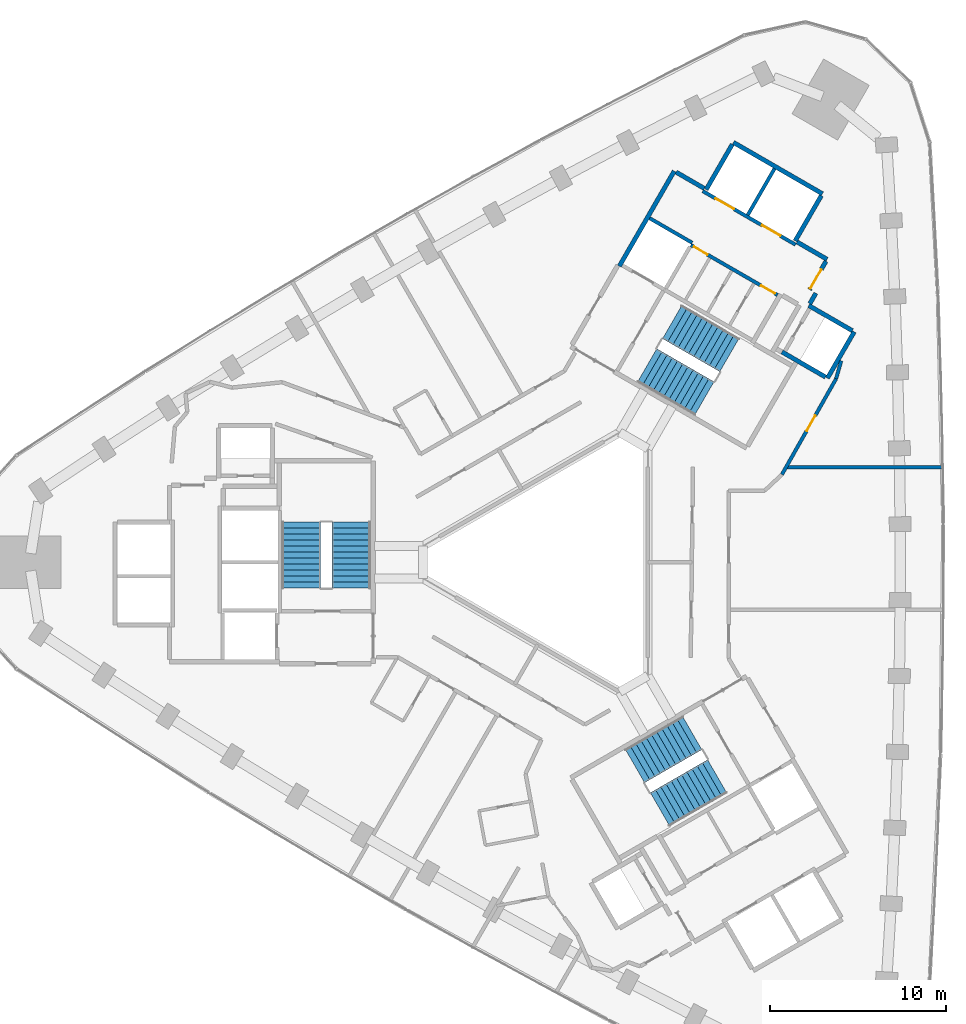
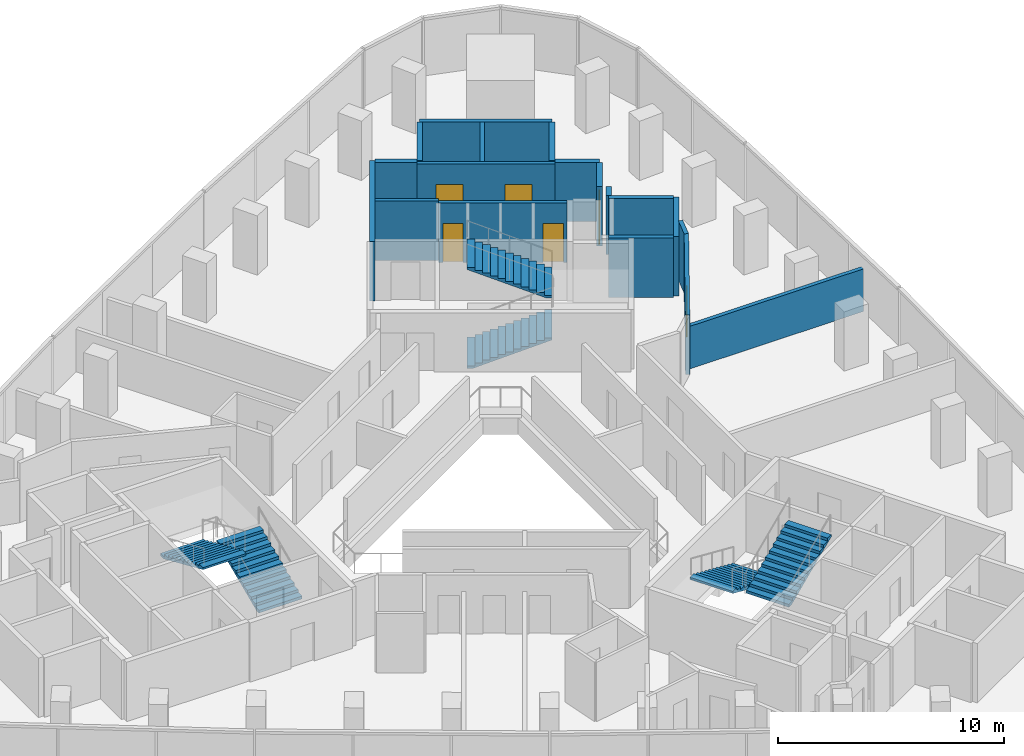
# One storey, part 11 of 12: 18 walls, 6 doors, 6 stair flights, 6 openings, 3 elements without a shape of their own.
"""IFC4 building model written with IfcOpenShell, lengths in metres."""

from ifc_helpers import new_model, si_unit, direction, frame, frame_2d, origin, place, context, subcontext, project, spatial, polyline, rectangle, outline, extrude, material, layer, layer_set, type_object, element, fill, aggregate, save


model = new_model("IFC4")

# Units and contexts
model_context = context("Model", 3, precision=1e-05, world=origin(), true_north=direction((0.0, 1.0)))
body_context = subcontext(model_context, "Body", "Model", "MODEL_VIEW")
ifc_project = project(units=[si_unit("LENGTHUNIT", "METRE"), si_unit("AREAUNIT", "SQUARE_METRE"), si_unit("VOLUMEUNIT", "CUBIC_METRE"), si_unit("PLANEANGLEUNIT", "RADIAN"), si_unit("MASSUNIT", "GRAM", prefix="KILO")], contexts=[model_context])

# Site, building, storey
site_placement = place(None, origin())
site = spatial("IfcSite", under=ifc_project, at=site_placement, CompositionType="ELEMENT")
building_placement = place(site_placement, origin())
building = spatial("IfcBuilding", under=site, at=building_placement, Name="Tamra Quay Hotel Tower", CompositionType="ELEMENT")
storey_placement = place(building_placement, frame((0.0, 0.0, 143.199951171875)))
storey = spatial("IfcBuildingStorey", under=building, at=storey_placement, Name="L35", CompositionType="ELEMENT", Elevation=143.199951171875)

# Wall, openings, doors
ifc_material_1 = material(Name="Concrete M70", Category="concrete")
ifc_layer_1 = layer(ifc_material_1, 0.199951171875)
ifc_layer_set_1 = layer_set([ifc_layer_1], Name="Concrete M70 core wall 200")
wall_type_1 = type_object("IfcWallType", Name="Concrete M70 core wall 200", PredefinedType="SHEAR", material=ifc_layer_set_1)
wall_1_placement = place(storey_placement, frame((13.209716796875, 18.07958984375, 0.0), z_axis=(0.0, 0.0, 1.0), x_axis=(-0.866030299012, 0.499991521122, 0.0)))
wall_1 = element("IfcWall", 1, at=wall_1_placement, inside=storey, type_object=wall_type_1, Name="CW2", PredefinedType="SHEAR", context=body_context, shape_type="SweptSolid", body=[
    extrude(rectangle(XDim=6.10009765625, YDim=0.199951171875, at=frame_2d((3.050048828125, 0.0))), origin(), (0.0, 0.0, 1.0), 3.199951171875),
])
opening_1_placement = place(wall_1_placement, frame((1.0, 0.0, 0.0)))
opening_1 = element("IfcOpeningElement", 2, at=opening_1_placement, cuts=wall_1, Name="Opening LD", PredefinedType="OPENING", context=body_context, shape_type="SweptSolid", body=[
    extrude(rectangle(XDim=1.199951171875, YDim=2.10009765625, at=frame_2d((0.60009765625, 1.050048828125))), frame((0.0, 0.10986328125, 0.0), z_axis=(0.0, -1.0, 0.0), x_axis=(1.0, 0.0, 0.0)), (0.0, 0.0, 1.0), 0.219970703125),
])
opening_2_placement = place(wall_1_placement, frame((4.05029296875, 0.0, 0.0)))
opening_2 = element("IfcOpeningElement", 3, at=opening_2_placement, cuts=wall_1, Name="Opening LD", PredefinedType="OPENING", context=body_context, shape_type="SweptSolid", body=[
    extrude(rectangle(XDim=1.199951171875, YDim=2.10009765625, at=frame_2d((0.60009765625, 1.050048828125))), frame((0.0, 0.10986328125, 0.0), z_axis=(0.0, -1.0, 0.0), x_axis=(1.0, 0.0, 0.0)), (0.0, 0.0, 1.0), 0.219970703125),
])
ifc_material_2 = material(Name="Landing door LD 1200 double door sliding")
door_type_1 = type_object("IfcDoorType", Name="Landing door LD 1200 double door sliding", OperationType="DOUBLE_DOOR_SLIDING", PredefinedType="DOOR", material=ifc_material_2)
door_1_placement = place(opening_1_placement, origin())
door_1 = element("IfcDoor", 4, at=door_1_placement, inside=storey, type_object=door_type_1, Name="LD", OperationType="DOUBLE_DOOR_SLIDING", OverallHeight=2.10009765625, OverallWidth=1.199951171875, PredefinedType="DOOR", context=body_context, shape_type="SweptSolid", body=[
    extrude(rectangle(XDim=1.199951171875, YDim=2.10009765625, at=frame_2d((0.60009765625, 1.050048828125))), frame((0.0, 0.02490234375, 0.0), z_axis=(0.0, -1.0, 0.0), x_axis=(1.0, 0.0, 0.0)), (0.0, 0.0, 1.0), 0.050048828125),
])
fill(opening_1, door_1)
door_2_placement = place(opening_2_placement, origin())
door_2 = element("IfcDoor", 5, at=door_2_placement, inside=storey, type_object=door_type_1, Name="LD", OperationType="DOUBLE_DOOR_SLIDING", OverallHeight=2.10009765625, OverallWidth=1.199951171875, PredefinedType="DOOR", context=body_context, shape_type="SweptSolid", body=[
    extrude(rectangle(XDim=1.199951171875, YDim=2.10009765625, at=frame_2d((0.60009765625, 1.050048828125))), frame((0.0, 0.02490234375, 0.0), z_axis=(0.0, -1.0, 0.0), x_axis=(1.0, 0.0, 0.0)), (0.0, 0.0, 1.0), 0.050048828125),
])
fill(opening_2, door_2)

wall_2_placement = place(storey_placement, frame((12.18505859375, 15.20703125, 0.0), z_axis=(0.0, 0.0, 1.0), x_axis=(-0.866020080793, 0.500009219579, 0.0)))
wall_2 = element("IfcWall", 6, at=wall_2_placement, inside=storey, type_object=wall_type_1, Name="CW2", PredefinedType="SHEAR", context=body_context, shape_type="SweptSolid", body=[
    extrude(rectangle(XDim=5.69921875, YDim=0.199951171875, at=frame_2d((2.849609375, 0.0))), origin(), (0.0, 0.0, 1.0), 3.199951171875),
])
opening_3_placement = place(wall_2_placement, frame((0.174072265625, 0.0, 0.0)))
opening_3 = element("IfcOpeningElement", 7, at=opening_3_placement, cuts=wall_2, Name="Opening D2", PredefinedType="OPENING", context=body_context, shape_type="SweptSolid", body=[
    extrude(rectangle(XDim=0.89990234375, YDim=2.10009765625, at=frame_2d((0.449951171875, 1.050048828125))), frame((0.0, 0.10986328125, 0.0), z_axis=(0.0, -1.0, 0.0), x_axis=(1.0, 0.0, 0.0)), (0.0, 0.0, 1.0), 0.219970703125),
])
opening_4_placement = place(wall_2_placement, frame((4.59912109375, 0.0, 0.0)))
opening_4 = element("IfcOpeningElement", 8, at=opening_4_placement, cuts=wall_2, Name="Opening D2", PredefinedType="OPENING", context=body_context, shape_type="SweptSolid", body=[
    extrude(rectangle(XDim=0.89990234375, YDim=2.10009765625, at=frame_2d((0.449951171875, 1.050048828125))), frame((0.0, 0.10986328125, 0.0), z_axis=(0.0, -1.0, 0.0), x_axis=(1.0, 0.0, 0.0)), (0.0, 0.0, 1.0), 0.219970703125),
])
ifc_material_3 = material(Name="Core door D2 900x2100 LH")
door_type_2 = type_object("IfcDoorType", Name="Core door D2 900x2100 LH", OperationType="NOTDEFINED", PredefinedType="DOOR", material=ifc_material_3)
door_3_placement = place(opening_4_placement, origin())
door_3 = element("IfcDoor", 9, at=door_3_placement, inside=storey, type_object=door_type_2, Name="D2", OperationType="SINGLE_SWING_LEFT", OverallHeight=2.10009765625, OverallWidth=0.89990234375, PredefinedType="DOOR", context=body_context, shape_type="SweptSolid", body=[
    extrude(rectangle(XDim=0.89990234375, YDim=2.10009765625, at=frame_2d((0.449951171875, 1.050048828125))), frame((0.0, 0.02490234375, 0.0), z_axis=(0.0, -1.0, 0.0), x_axis=(1.0, 0.0, 0.0)), (0.0, 0.0, 1.0), 0.050048828125),
])
fill(opening_4, door_3)
ifc_material_4 = material(Name="Core door D2 900x2100 RH")
door_type_3 = type_object("IfcDoorType", Name="Core door D2 900x2100 RH", OperationType="NOTDEFINED", PredefinedType="DOOR", material=ifc_material_4)
door_4_placement = place(opening_3_placement, origin())
door_4 = element("IfcDoor", 10, at=door_4_placement, inside=storey, type_object=door_type_3, Name="D2", OperationType="SINGLE_SWING_RIGHT", OverallHeight=2.10009765625, OverallWidth=0.89990234375, PredefinedType="DOOR", context=body_context, shape_type="SweptSolid", body=[
    extrude(rectangle(XDim=0.89990234375, YDim=2.10009765625, at=frame_2d((0.449951171875, 1.050048828125))), frame((0.0, 0.02490234375, 0.0), z_axis=(0.0, -1.0, 0.0), x_axis=(1.0, 0.0, 0.0)), (0.0, 0.0, 1.0), 0.050048828125),
])
fill(opening_3, door_4)

# Walls
wall_3_placement = place(storey_placement, frame((10.48876953125, 19.76708984375, 0.0), z_axis=(0.0, 0.0, 1.0), x_axis=(0.499946628782, 0.866056215479, 0.0)))
element("IfcWall", 11, at=wall_3_placement, inside=storey, type_object=wall_type_1, Name="CW2", PredefinedType="SHEAR", context=body_context, shape_type="SweptSolid", body=[
    extrude(rectangle(XDim=3.048095703125, YDim=0.199951171875, at=frame_2d((1.52392578125, 0.0))), origin(), (0.0, 0.0, 1.0), 3.199951171875),
])
wall_4_placement = place(storey_placement, frame((4.900634765625, 19.5859375, 0.0), z_axis=(0.0, 0.0, 1.0), x_axis=(0.866022890907, -0.500004352405, 0.0)))
element("IfcWall", 12, at=wall_4_placement, inside=storey, type_object=wall_type_1, Name="CW2", PredefinedType="SHEAR", context=body_context, shape_type="SweptSolid", body=[
    extrude(rectangle(XDim=2.798828125, YDim=0.199951171875, at=frame_2d((1.3994140625, 0.0))), origin(), (0.0, 0.0, 1.0), 3.199951171875),
])
ifc_layer_2 = layer(ifc_material_1, 0.25)
ifc_layer_set_2 = layer_set([ifc_layer_2], Name="Concrete M70 core wall 250")
wall_type_2 = type_object("IfcWallType", Name="Concrete M70 core wall 250", PredefinedType="SHEAR", material=ifc_layer_set_2)
wall_5_placement = place(storey_placement, frame((3.178955078125, 16.856201171875, 0.0), z_axis=(0.0, 0.0, 1.0), x_axis=(0.500004234368, 0.866022959057, 0.0)))
element("IfcWall", 13, at=wall_5_placement, inside=storey, type_object=wall_type_2, Name="CW1", PredefinedType="SHEAR", context=body_context, shape_type="SweptSolid", body=[
    extrude(rectangle(XDim=6.25, YDim=0.25, at=frame_2d((3.125, 0.0))), origin(), (0.0, 0.0, 1.0), 3.199951171875),
])
wall_6_placement = place(storey_placement, frame((9.672607421875, 23.9033203125, 0.0), z_axis=(0.0, 0.0, 1.0), x_axis=(0.86603616409, -0.499981362141, 0.0)))
element("IfcWall", 14, at=wall_6_placement, inside=storey, type_object=wall_type_2, Name="CW1", PredefinedType="SHEAR", context=body_context, shape_type="SweptSolid", body=[
    extrude(rectangle(XDim=5.849853515625, YDim=0.25, at=frame_2d((2.9248046875, 0.0))), origin(), (0.0, 0.0, 1.0), 3.199951171875),
])
for number, where, z_axis, x_axis, name in (
    (15, (8.12255859375, 21.21875, 0.0), (0.0, 0.0, 1.0), (0.499987686533, 0.866032512851, 0.0), "CW1"),
    (16, (14.67626953125, 20.869873046875, 0.0), (0.0, 0.0, 1.0), (-0.499987686533, -0.866032512851, 0.0), "CW1"),
):
    element("IfcWall", number, at=place(storey_placement, frame(where, z_axis=z_axis, x_axis=x_axis)), inside=storey, type_object=wall_type_2, Name=name, PredefinedType="SHEAR", context=body_context, shape_type="SweptSolid", body=[
        extrude(rectangle(XDim=2.974609375, YDim=0.25, at=frame_2d((1.4873046875, 0.0))), origin(), (0.0, 0.0, 1.0), 3.199951171875),
    ])
wall_7_placement = place(storey_placement, frame((16.552001953125, 13.118896484375, 0.0), z_axis=(0.0, 0.0, 1.0), x_axis=(-0.499978833458, -0.866037623948, 0.0)))
element("IfcWall", 17, at=wall_7_placement, inside=storey, type_object=wall_type_2, Name="CW1", PredefinedType="SHEAR", context=body_context, shape_type="SweptSolid", body=[
    extrude(rectangle(XDim=3.050048828125, YDim=0.25, at=frame_2d((1.52490234375, 0.0))), origin(), (0.0, 0.0, 1.0), 3.199951171875),
])
wall_8_placement = place(storey_placement, frame((14.91845703125, 10.540283203125, 0.0), z_axis=(0.0, 0.0, 1.0), x_axis=(-0.866063538972, 0.499933942099, 0.0)))
element("IfcWall", 18, at=wall_8_placement, inside=storey, type_object=wall_type_2, Name="CW1", PredefinedType="SHEAR", context=body_context, shape_type="SweptSolid", body=[
    extrude(rectangle(XDim=2.86474609375, YDim=0.25, at=frame_2d((1.432373046875, 0.0))), origin(), (0.0, 0.0, 1.0), 3.199951171875),
])
wall_9_placement = place(storey_placement, frame((13.962646484375, 14.61376953125, 0.0), z_axis=(0.0, 0.0, 1.0), x_axis=(0.866042235819, -0.499970844928, 0.0)))
element("IfcWall", 19, at=wall_9_placement, inside=storey, type_object=wall_type_2, Name="CW1", PredefinedType="SHEAR", context=body_context, shape_type="SweptSolid", body=[
    extrude(rectangle(XDim=2.864501953125, YDim=0.25, at=frame_2d((1.43212890625, 0.0))), origin(), (0.0, 0.0, 1.0), 3.199951171875),
])
wall_10_placement = place(storey_placement, frame((13.29736328125, 18.23095703125, 0.0), z_axis=(0.0, 0.0, 1.0), x_axis=(0.866043531843, -0.499968599967, 0.0)))
element("IfcWall", 20, at=wall_10_placement, inside=storey, type_object=wall_type_2, Name="CW1", PredefinedType="SHEAR", context=body_context, shape_type="SweptSolid", body=[
    extrude(rectangle(XDim=1.974853515625, YDim=0.25, at=frame_2d((0.9873046875, 0.0))), origin(), (0.0, 0.0, 1.0), 3.199951171875),
])
wall_11_placement = place(storey_placement, frame((6.41259765625, 22.2060546875, 0.0), z_axis=(0.0, 0.0, 1.0), x_axis=(0.866016279763, -0.500015802937, 0.0)))
element("IfcWall", 21, at=wall_11_placement, inside=storey, type_object=wall_type_2, Name="CW1", PredefinedType="SHEAR", context=body_context, shape_type="SweptSolid", body=[
    extrude(rectangle(XDim=1.84912109375, YDim=0.25, at=frame_2d((0.924560546875, 0.0))), origin(), (0.0, 0.0, 1.0), 3.199951171875),
])

# Wall, opening, door
wall_12_placement = place(storey_placement, frame((14.94482421875, 17.13525390625, 0.0), z_axis=(0.0, 0.0, 1.0), x_axis=(-0.499983108224, -0.866035156036, 0.0)))
wall_12 = element("IfcWall", 22, at=wall_12_placement, inside=storey, type_object=wall_type_2, Name="CW1", PredefinedType="SHEAR", context=body_context, shape_type="SweptSolid", body=[
    extrude(rectangle(XDim=1.86474609375, YDim=0.25, at=frame_2d((0.932373046875, 0.0))), origin(), (0.0, 0.0, 1.0), 3.199951171875),
])
opening_5_placement = place(wall_12_placement, frame((0.53466796875, 0.0, 0.0)))
opening_5 = element("IfcOpeningElement", 23, at=opening_5_placement, cuts=wall_12, Name="Opening FD3", PredefinedType="OPENING", context=body_context, shape_type="SweptSolid", body=[
    extrude(rectangle(XDim=1.25, YDim=2.10009765625, at=frame_2d((0.625, 1.050048828125))), frame((0.0, 0.135009765625, 0.0), z_axis=(0.0, -1.0, 0.0), x_axis=(1.0, 0.0, 0.0)), (0.0, 0.0, 1.0), 0.27001953125),
])
ifc_material_5 = material(Name="Core door FD3 1250x2100 LH")
door_type_4 = type_object("IfcDoorType", Name="Core door FD3 1250x2100 LH", OperationType="NOTDEFINED", PredefinedType="DOOR", material=ifc_material_5)
door_5_placement = place(opening_5_placement, origin())
door_5 = element("IfcDoor", 24, at=door_5_placement, inside=storey, type_object=door_type_4, Name="FD3", OperationType="SINGLE_SWING_LEFT", OverallHeight=2.10009765625, OverallWidth=1.25, PredefinedType="DOOR", context=body_context, shape_type="SweptSolid", body=[
    extrude(rectangle(XDim=1.25, YDim=2.10009765625, at=frame_2d((0.625, 1.050048828125))), frame((0.0, 0.02490234375, 0.0), z_axis=(0.0, -1.0, 0.0), x_axis=(1.0, 0.0, 0.0)), (0.0, 0.0, 1.0), 0.050048828125),
])
fill(opening_5, door_5)

# Wall
wall_13_placement = place(storey_placement, frame((14.36767578125, 15.3154296875, 0.0), z_axis=(0.0, 0.0, 1.0), x_axis=(-0.499897359611, -0.866084655132, 0.0)))
element("IfcWall", 25, at=wall_13_placement, inside=storey, type_object=wall_type_2, Name="CW1", PredefinedType="SHEAR", context=body_context, shape_type="SweptSolid", body=[
    extrude(rectangle(XDim=0.684814453125, YDim=0.25, at=frame_2d((0.34228515625, 0.0))), origin(), (0.0, 0.0, 1.0), 3.199951171875),
])

# Wall, opening, door
ifc_material_6 = material(Name="Partition corridor wall")
ifc_layer_3 = layer(ifc_material_6, 0.199951171875)
ifc_layer_set_3 = layer_set([ifc_layer_3], Name="Partition corridor wall")
wall_type_3 = type_object("IfcWallType", Name="Partition corridor wall", PredefinedType="PARTITIONING", material=ifc_layer_set_3)
wall_14_placement = place(storey_placement, frame((12.43310546875, 4.991943359375, 0.0), z_axis=(0.0, 0.0, 1.0), x_axis=(0.492740203499, 0.870176471675, 0.0)))
wall_14 = element("IfcWall", 26, at=wall_14_placement, inside=storey, type_object=wall_type_3, Name="W-C", PredefinedType="PARTITIONING", context=body_context, shape_type="SweptSolid", body=[
    extrude(rectangle(XDim=6.265380859375, YDim=0.199951171875, at=frame_2d((3.1328125, 0.0))), origin(), (0.0, 0.0, 1.0), 3.199951171875),
])
opening_6_placement = place(wall_14_placement, frame((2.85791015625, 0.0, 0.0)))
opening_6 = element("IfcOpeningElement", 27, at=opening_6_placement, cuts=wall_14, Name="Opening L35-D003", PredefinedType="OPENING", context=body_context, shape_type="SweptSolid", body=[
    extrude(rectangle(XDim=1.0, YDim=2.10009765625, at=frame_2d((0.5, 1.050048828125))), frame((0.0, 0.10986328125, 0.0), z_axis=(0.0, -1.0, 0.0), x_axis=(1.0, 0.0, 0.0)), (0.0, 0.0, 1.0), 0.219970703125),
])
ifc_material_7 = material(Name="Door guest room 1000x2100")
door_type_5 = type_object("IfcDoorType", Name="Door guest room 1000x2100", OperationType="NOTDEFINED", PredefinedType="DOOR", material=ifc_material_7)
door_6_placement = place(opening_6_placement, frame((1.0, 0.0, 0.0), z_axis=(0.0, 0.0, 1.0), x_axis=(-1.0, 0.0, 0.0)))
door_6 = element("IfcDoor", 28, at=door_6_placement, inside=storey, type_object=door_type_5, Name="L35-D003", OperationType="SINGLE_SWING_LEFT", OverallHeight=2.10009765625, OverallWidth=1.0, PredefinedType="DOOR", context=body_context, shape_type="SweptSolid", body=[
    extrude(rectangle(XDim=1.0, YDim=2.10009765625, at=frame_2d((0.5, 1.050048828125))), frame((0.0, 0.02490234375, 0.0), z_axis=(0.0, -1.0, 0.0), x_axis=(1.0, 0.0, 0.0)), (0.0, 0.0, 1.0), 0.050048828125),
])
fill(opening_6, door_6)

# Walls
wall_15_placement = place(storey_placement, frame((15.52001953125, 10.445068359375, 0.0), z_axis=(0.0, 0.0, 1.0), x_axis=(0.274143458758, 0.961688808306, 0.0)))
element("IfcWall", 29, at=wall_15_placement, inside=storey, type_object=wall_type_3, Name="W-C", PredefinedType="PARTITIONING", context=body_context, shape_type="SweptSolid", body=[
    extrude(rectangle(XDim=1.060546875, YDim=0.199951171875, at=frame_2d((0.5302734375, 0.0))), origin(), (0.0, 0.0, 1.0), 3.199951171875),
])
ifc_material_8 = material(Name="Partition party wall")
ifc_layer_4 = layer(ifc_material_8, 0.199951171875)
ifc_layer_set_4 = layer_set([ifc_layer_4], Name="Partition party wall")
wall_type_4 = type_object("IfcWallType", Name="Partition party wall", PredefinedType="PARTITIONING", material=ifc_layer_set_4)
wall_16_placement = place(storey_placement, frame((12.662109375, 5.39501953125, 0.0), z_axis=(0.0, 0.0, 1.0), x_axis=(1.0, 0.0, 0.0)))
element("IfcWall", 30, at=wall_16_placement, inside=storey, type_object=wall_type_4, Name="W-P", PredefinedType="PARTITIONING", context=body_context, shape_type="SweptSolid", body=[
    extrude(rectangle(XDim=8.926025390625, YDim=0.199951171875, at=frame_2d((4.462890625, 0.0))), origin(), (0.0, 0.0, 1.0), 2.300048828125),
])

# Stair, stair flights
ifc_material_9 = material(Name="Exit stair 2200 24 risers 150.0 going 342")
stair_type = type_object("IfcStairType", Name="Exit stair 2200 24 risers 150.0 going 342", PredefinedType="HALF_TURN_STAIR", material=ifc_material_9)
stair_1_placement = place(storey_placement, origin())
stair_1 = element("IfcStair", 31, at=stair_1_placement, inside=storey, type_object=stair_type, Name="L35 Exit stair ST3", PredefinedType="HALF_TURN_STAIR")
ifc_material_10 = material(Name="Exit stair flight 2200 12 risers 150.0")
stair_flight_type = type_object("IfcStairFlightType", Name="Exit stair flight 2200 12 risers 150.0", PredefinedType="STRAIGHT", material=ifc_material_10)
stair_flight_1_placement = place(storey_placement, frame((-12.082275390625, -1.47998046875, 0.0), z_axis=(0.0, 0.0, 1.0), x_axis=(0.0, 1.0, 0.0)))
stair_flight_1 = element("IfcStairFlight", 32, at=stair_flight_1_placement, type_object=stair_flight_type, Name="ST3 flight 1", NumberOfRisers=12, NumberOfTreads=11, PredefinedType="STRAIGHT", RiserHeight=0.15, TreadLength=0.342, context=body_context, shape_type="SweptSolid", body=[
    extrude(outline(polyline([(0.0, 0.0), (0.0, 0.14990234375), (0.342041015625, 0.14990234375), (0.342041015625, 0.300048828125), (0.68408203125, 0.300048828125), (0.68408203125, 0.449951171875), (1.02587890625, 0.449951171875), (1.02587890625, 0.60009765625), (1.367919921875, 0.60009765625), (1.367919921875, 0.75), (1.7099609375, 0.75), (1.7099609375, 0.89990234375), (2.052001953125, 0.89990234375), (2.052001953125, 1.050048828125), (2.39404296875, 1.050048828125), (2.39404296875, 1.199951171875), (2.736083984375, 1.199951171875), (2.736083984375, 1.35009765625), (3.077880859375, 1.35009765625), (3.077880859375, 1.5), (3.419921875, 1.5), (3.419921875, 1.64990234375), (3.761962890625, 1.64990234375), (3.761962890625, 1.800048828125), (3.761962890625, 1.540771484375), (0.249267578125, 0.0), (0.0, 0.0)])), frame((0.0, 1.10009765625, 0.0), z_axis=(0.0, -1.0, 0.0), x_axis=(1.0, 0.0, 0.0)), (0.0, 0.0, 1.0), 2.199951171875),
])
stair_flight_2_placement = place(storey_placement, frame((-14.94140625, 2.281982421875, 1.800048828125), z_axis=(0.0, 0.0, 1.0), x_axis=(0.0, -1.0, 0.0)))
stair_flight_2 = element("IfcStairFlight", 33, at=stair_flight_2_placement, type_object=stair_flight_type, Name="ST3 flight 2", NumberOfRisers=12, NumberOfTreads=11, PredefinedType="STRAIGHT", RiserHeight=0.15, TreadLength=0.342, context=body_context, shape_type="SweptSolid", body=[
    extrude(outline(polyline([(0.0, 0.0), (0.0, 0.14990234375), (0.342041015625, 0.14990234375), (0.342041015625, 0.300048828125), (0.68408203125, 0.300048828125), (0.68408203125, 0.449951171875), (1.02587890625, 0.449951171875), (1.02587890625, 0.60009765625), (1.367919921875, 0.60009765625), (1.367919921875, 0.75), (1.7099609375, 0.75), (1.7099609375, 0.89990234375), (2.052001953125, 0.89990234375), (2.052001953125, 1.050048828125), (2.39404296875, 1.050048828125), (2.39404296875, 1.199951171875), (2.736083984375, 1.199951171875), (2.736083984375, 1.35009765625), (3.077880859375, 1.35009765625), (3.077880859375, 1.5), (3.419921875, 1.5), (3.419921875, 1.64990234375), (3.761962890625, 1.64990234375), (3.761962890625, 1.800048828125), (3.761962890625, 1.540771484375), (0.249267578125, 0.0), (0.0, 0.0)])), frame((0.0, 1.10009765625, 0.0), z_axis=(0.0, -1.0, 0.0), x_axis=(1.0, 0.0, 0.0)), (0.0, 0.0, 1.0), 2.199951171875),
])
aggregate(stair_1, [stair_flight_1, stair_flight_2])

stair_2_placement = place(storey_placement, origin())
stair_2 = element("IfcStair", 34, at=stair_2_placement, inside=storey, type_object=stair_type, Name="L35 Exit stair ST1", PredefinedType="HALF_TURN_STAIR")
stair_flight_3_placement = place(storey_placement, frame((4.75927734375, 11.20361328125, 0.0), z_axis=(0.0, 0.0, 1.0), x_axis=(0.866025403784, -0.5, 0.0)))
stair_flight_3 = element("IfcStairFlight", 35, at=stair_flight_3_placement, type_object=stair_flight_type, Name="ST1 flight 1", NumberOfRisers=12, NumberOfTreads=11, PredefinedType="STRAIGHT", RiserHeight=0.15, TreadLength=0.342, context=body_context, shape_type="SweptSolid", body=[
    extrude(outline(polyline([(0.0, 0.0), (0.0, 0.14990234375), (0.342041015625, 0.14990234375), (0.342041015625, 0.300048828125), (0.68408203125, 0.300048828125), (0.68408203125, 0.449951171875), (1.02587890625, 0.449951171875), (1.02587890625, 0.60009765625), (1.367919921875, 0.60009765625), (1.367919921875, 0.75), (1.7099609375, 0.75), (1.7099609375, 0.89990234375), (2.052001953125, 0.89990234375), (2.052001953125, 1.050048828125), (2.39404296875, 1.050048828125), (2.39404296875, 1.199951171875), (2.736083984375, 1.199951171875), (2.736083984375, 1.35009765625), (3.077880859375, 1.35009765625), (3.077880859375, 1.5), (3.419921875, 1.5), (3.419921875, 1.64990234375), (3.761962890625, 1.64990234375), (3.761962890625, 1.800048828125), (3.761962890625, 1.540771484375), (0.249267578125, 0.0), (0.0, 0.0)])), frame((0.0, 1.10009765625, 0.0), z_axis=(0.0, -1.0, 0.0), x_axis=(1.0, 0.0, 0.0)), (0.0, 0.0, 1.0), 2.199951171875),
])
stair_flight_4_placement = place(storey_placement, frame((9.44677734375, 11.798583984375, 1.800048828125), z_axis=(0.0, 0.0, 1.0), x_axis=(-0.866025403784, 0.5, 0.0)))
stair_flight_4 = element("IfcStairFlight", 36, at=stair_flight_4_placement, type_object=stair_flight_type, Name="ST1 flight 2", NumberOfRisers=12, NumberOfTreads=11, PredefinedType="STRAIGHT", RiserHeight=0.15, TreadLength=0.342, context=body_context, shape_type="SweptSolid", body=[
    extrude(outline(polyline([(0.0, 0.0), (0.0, 0.14990234375), (0.342041015625, 0.14990234375), (0.342041015625, 0.300048828125), (0.68408203125, 0.300048828125), (0.68408203125, 0.449951171875), (1.02587890625, 0.449951171875), (1.02587890625, 0.60009765625), (1.367919921875, 0.60009765625), (1.367919921875, 0.75), (1.7099609375, 0.75), (1.7099609375, 0.89990234375), (2.052001953125, 0.89990234375), (2.052001953125, 1.050048828125), (2.39404296875, 1.050048828125), (2.39404296875, 1.199951171875), (2.736083984375, 1.199951171875), (2.736083984375, 1.35009765625), (3.077880859375, 1.35009765625), (3.077880859375, 1.5), (3.419921875, 1.5), (3.419921875, 1.64990234375), (3.761962890625, 1.64990234375), (3.761962890625, 1.800048828125), (3.761962890625, 1.540771484375), (0.249267578125, 0.0), (0.0, 0.0)])), frame((0.0, 1.10009765625, 0.0), z_axis=(0.0, -1.0, 0.0), x_axis=(1.0, 0.0, 0.0)), (0.0, 0.0, 1.0), 2.199951171875),
])
aggregate(stair_2, [stair_flight_3, stair_flight_4])

stair_3_placement = place(storey_placement, origin())
stair_3 = element("IfcStair", 37, at=stair_3_placement, inside=storey, type_object=stair_type, Name="L35 Exit stair ST2", PredefinedType="HALF_TURN_STAIR")
stair_flight_5_placement = place(storey_placement, frame((7.322998046875, -9.7236328125, 0.0), z_axis=(0.0, 0.0, 1.0), x_axis=(-0.866025403784, -0.5, 0.0)))
stair_flight_5 = element("IfcStairFlight", 38, at=stair_flight_5_placement, type_object=stair_flight_type, Name="ST2 flight 1", NumberOfRisers=12, NumberOfTreads=11, PredefinedType="STRAIGHT", RiserHeight=0.15, TreadLength=0.342, context=body_context, shape_type="SweptSolid", body=[
    extrude(outline(polyline([(0.0, 0.0), (0.0, 0.14990234375), (0.342041015625, 0.14990234375), (0.342041015625, 0.300048828125), (0.68408203125, 0.300048828125), (0.68408203125, 0.449951171875), (1.02587890625, 0.449951171875), (1.02587890625, 0.60009765625), (1.367919921875, 0.60009765625), (1.367919921875, 0.75), (1.7099609375, 0.75), (1.7099609375, 0.89990234375), (2.052001953125, 0.89990234375), (2.052001953125, 1.050048828125), (2.39404296875, 1.050048828125), (2.39404296875, 1.199951171875), (2.736083984375, 1.199951171875), (2.736083984375, 1.35009765625), (3.077880859375, 1.35009765625), (3.077880859375, 1.5), (3.419921875, 1.5), (3.419921875, 1.64990234375), (3.761962890625, 1.64990234375), (3.761962890625, 1.800048828125), (3.761962890625, 1.540771484375), (0.249267578125, 0.0), (0.0, 0.0)])), frame((0.0, 1.10009765625, 0.0), z_axis=(0.0, -1.0, 0.0), x_axis=(1.0, 0.0, 0.0)), (0.0, 0.0, 1.0), 2.199951171875),
])
stair_flight_6_placement = place(storey_placement, frame((5.494384765625, -14.08056640625, 1.800048828125), z_axis=(0.0, 0.0, 1.0), x_axis=(0.866025403784, 0.5, 0.0)))
stair_flight_6 = element("IfcStairFlight", 39, at=stair_flight_6_placement, type_object=stair_flight_type, Name="ST2 flight 2", NumberOfRisers=12, NumberOfTreads=11, PredefinedType="STRAIGHT", RiserHeight=0.15, TreadLength=0.342, context=body_context, shape_type="SweptSolid", body=[
    extrude(outline(polyline([(0.0, 0.0), (0.0, 0.14990234375), (0.342041015625, 0.14990234375), (0.342041015625, 0.300048828125), (0.68408203125, 0.300048828125), (0.68408203125, 0.449951171875), (1.02587890625, 0.449951171875), (1.02587890625, 0.60009765625), (1.367919921875, 0.60009765625), (1.367919921875, 0.75), (1.7099609375, 0.75), (1.7099609375, 0.89990234375), (2.052001953125, 0.89990234375), (2.052001953125, 1.050048828125), (2.39404296875, 1.050048828125), (2.39404296875, 1.199951171875), (2.736083984375, 1.199951171875), (2.736083984375, 1.35009765625), (3.077880859375, 1.35009765625), (3.077880859375, 1.5), (3.419921875, 1.5), (3.419921875, 1.64990234375), (3.761962890625, 1.64990234375), (3.761962890625, 1.800048828125), (3.761962890625, 1.540771484375), (0.249267578125, 0.0), (0.0, 0.0)])), frame((0.0, 1.10009765625, 0.0), z_axis=(0.0, -1.0, 0.0), x_axis=(1.0, 0.0, 0.0)), (0.0, 0.0, 1.0), 2.199951171875),
])
aggregate(stair_3, [stair_flight_5, stair_flight_6])

save(model, "model.ifc")
